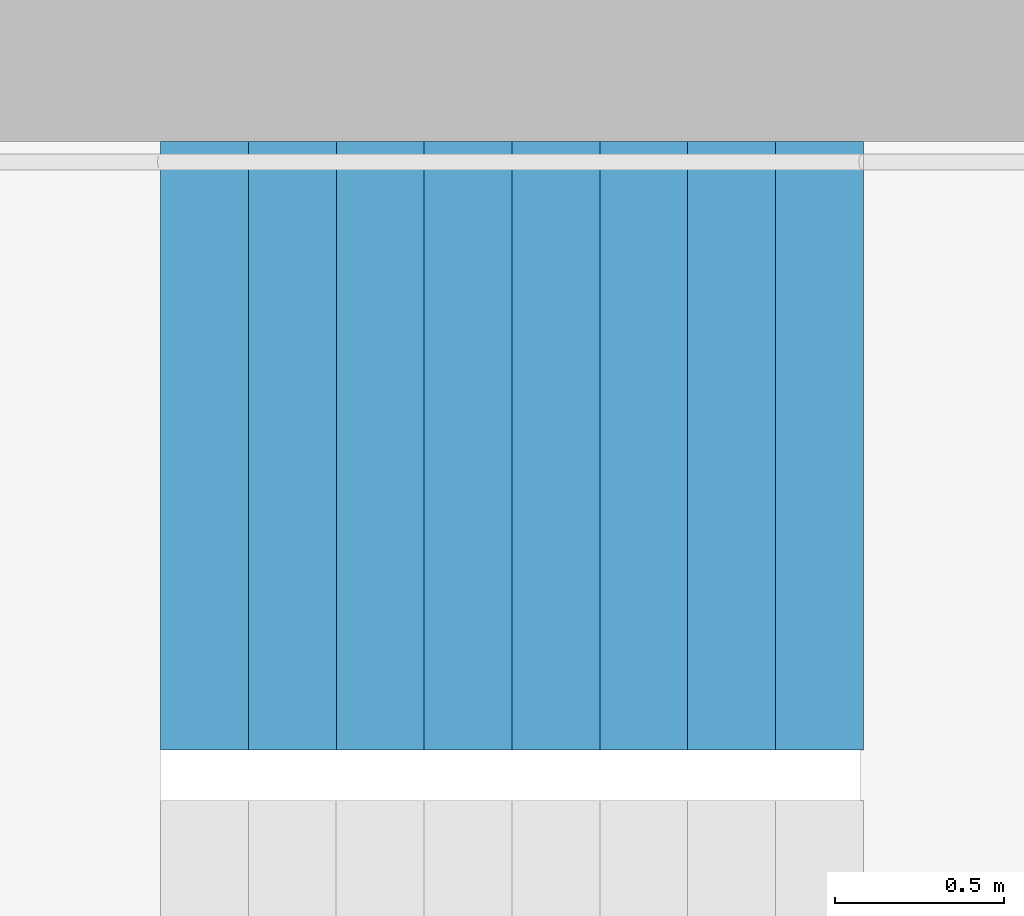
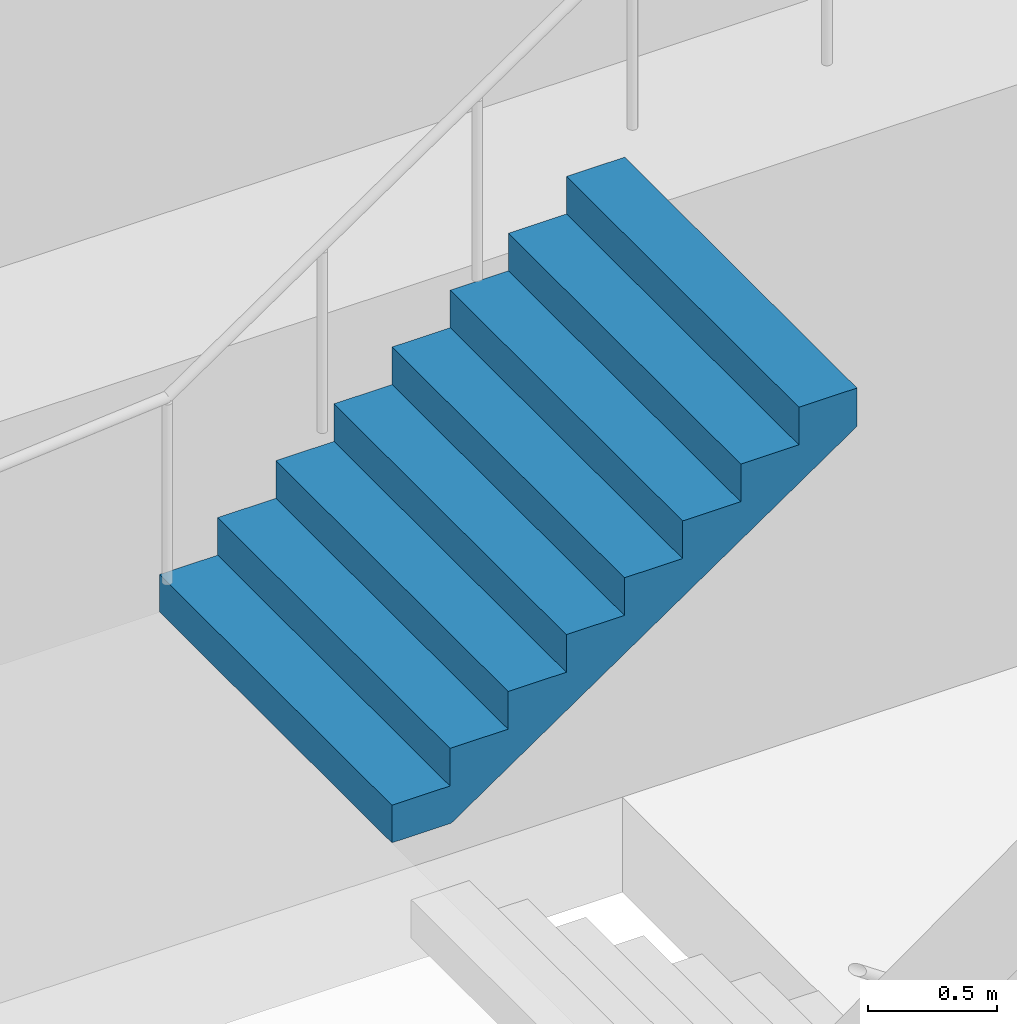
# One storey, part 25 of 26: 1 stair flight, 1 element without a shape of its own.
"""IFC4 building model written with IfcOpenShell, lengths in metres."""

from ifc_helpers import new_model, si_unit, direction, frame, origin, place, context, subcontext, project, spatial, triangles, material, type_object, element, aggregate, save


model = new_model("IFC4")

# Units and contexts
model_context = context("Model", 3, precision=1e-05, world=origin(), true_north=direction((0.0, 1.0)))
body_context = subcontext(model_context, "Body", "Model", "MODEL_VIEW")
ifc_project = project(units=[si_unit("LENGTHUNIT", "METRE"), si_unit("AREAUNIT", "SQUARE_METRE"), si_unit("VOLUMEUNIT", "CUBIC_METRE"), si_unit("PLANEANGLEUNIT", "RADIAN"), si_unit("MASSUNIT", "GRAM", prefix="KILO")], contexts=[model_context])

# Site, building, storey
site_placement = place(None, origin())
site = spatial("IfcSite", under=ifc_project, at=site_placement, CompositionType="ELEMENT")
building_placement = place(site_placement, origin())
building = spatial("IfcBuilding", under=site, at=building_placement, Name="Hakoniwa Tower and Hamabe Station Hall", CompositionType="ELEMENT")
storey_placement = place(building_placement, frame((0.0, 0.0, 143.800048828125)))
storey = spatial("IfcBuildingStorey", under=building, at=storey_placement, Name="L40", CompositionType="ELEMENT", Elevation=143.800048828125)

# Stair, stair flight
ifc_material_1 = material(Name="Concrete C40", Category="concrete")
stair_type = type_object("IfcStairType", Name="ESCAPE STAIR 1800", PredefinedType="HALF_TURN_STAIR", material=ifc_material_1)
stair_placement = place(storey_placement, origin())
stair = element("IfcStair", 1, at=stair_placement, inside=storey, type_object=stair_type, Name="Escape stair ST-3 L40", PredefinedType="HALF_TURN_STAIR")
ifc_material_2 = material(Name="Concrete C40", Category="concrete")
stair_flight_type = type_object("IfcStairFlightType", Name="STAIR FLIGHT 1800", PredefinedType="STRAIGHT", material=ifc_material_2)
stair_flight_placement = place(storey_placement, frame((22.320068359375, 6.60009765625, 1.599853515625), z_axis=(0.0, 0.0, 1.0), x_axis=(1.0, 0.0, 0.0)))
stair_flight = element("IfcStairFlight", 2, at=stair_flight_placement, type_object=stair_flight_type, Name="ST-3 flight 2", NumberOfRisers=9, NumberOfTreads=8, PredefinedType="STRAIGHT", RiserHeight=0.177777778, TreadLength=0.26, context=body_context, shape_type="Tessellation", body=[
    triangles([(0.0, 0.89990234375, 0.0), (0.260009765625, 0.89990234375, 0.0), (0.265625, 0.89990234375, 0.0), (0.52001953125, 0.89990234375, 0.174072265625), (0.780029296875, 0.89990234375, 0.351806640625), (1.0400390625, 0.89990234375, 0.529541015625), (1.300048828125, 0.89990234375, 0.707275390625), (1.56005859375, 0.89990234375, 0.885009765625), (1.820068359375, 0.89990234375, 1.062744140625), (2.080078125, 0.89990234375, 1.24072265625), (2.080078125, 0.89990234375, 1.422119140625), (1.820068359375, 0.89990234375, 1.422119140625), (1.820068359375, 0.89990234375, 1.244384765625), (1.56005859375, 0.89990234375, 1.244384765625), (1.56005859375, 0.89990234375, 1.066650390625), (1.300048828125, 0.89990234375, 1.066650390625), (1.300048828125, 0.89990234375, 0.888916015625), (1.0400390625, 0.89990234375, 0.888916015625), (1.0400390625, 0.89990234375, 0.711181640625), (0.780029296875, 0.89990234375, 0.711181640625), (0.780029296875, 0.89990234375, 0.533447265625), (0.52001953125, 0.89990234375, 0.533447265625), (0.52001953125, 0.89990234375, 0.35546875), (0.265625, 0.89990234375, 0.35546875), (0.260009765625, 0.89990234375, 0.35546875), (0.260009765625, 0.89990234375, 0.177734375), (0.0, 0.89990234375, 0.177734375), (0.0, 0.06005859375, 0.0), (0.260009765625, 0.06005859375, 0.0), (0.265625, 0.06005859375, 0.0), (0.52001953125, 0.06005859375, 0.174072265625), (0.780029296875, 0.06005859375, 0.351806640625), (1.0400390625, 0.06005859375, 0.529541015625), (1.300048828125, 0.06005859375, 0.707275390625), (1.56005859375, 0.06005859375, 0.885009765625), (1.820068359375, 0.06005859375, 1.062744140625), (2.080078125, 0.06005859375, 1.24072265625), (2.080078125, 0.06005859375, 1.422119140625), (1.820068359375, 0.06005859375, 1.422119140625), (1.820068359375, 0.06005859375, 1.244384765625), (1.56005859375, 0.06005859375, 1.244384765625), (1.56005859375, 0.06005859375, 1.066650390625), (1.300048828125, 0.06005859375, 1.066650390625), (1.300048828125, 0.06005859375, 0.888916015625), (1.0400390625, 0.06005859375, 0.888916015625), (1.0400390625, 0.06005859375, 0.711181640625), (0.780029296875, 0.06005859375, 0.711181640625), (0.780029296875, 0.06005859375, 0.533447265625), (0.52001953125, 0.06005859375, 0.533447265625), (0.52001953125, 0.06005859375, 0.35546875), (0.265625, 0.06005859375, 0.35546875), (0.260009765625, 0.06005859375, 0.35546875), (0.260009765625, 0.06005859375, 0.177734375), (0.0, 0.06005859375, 0.177734375), (0.0, 0.04296875, 0.0), (0.260009765625, 0.04296875, 0.0), (0.265625, 0.04296875, 0.0), (0.52001953125, 0.04296875, 0.174072265625), (0.780029296875, 0.04296875, 0.351806640625), (1.0400390625, 0.04296875, 0.529541015625), (1.300048828125, 0.04296875, 0.707275390625), (1.56005859375, 0.04296875, 0.885009765625), (1.820068359375, 0.04296875, 1.062744140625), (2.080078125, 0.04296875, 1.24072265625), (2.080078125, 0.04296875, 1.422119140625), (1.820068359375, 0.04296875, 1.422119140625), (1.820068359375, 0.04296875, 1.244384765625), (1.56005859375, 0.04296875, 1.244384765625), (1.56005859375, 0.04296875, 1.066650390625), (1.300048828125, 0.04296875, 1.066650390625), (1.300048828125, 0.04296875, 0.888916015625), (1.0400390625, 0.04296875, 0.888916015625), (1.0400390625, 0.04296875, 0.711181640625), (0.780029296875, 0.04296875, 0.711181640625), (0.780029296875, 0.04296875, 0.533447265625), (0.52001953125, 0.04296875, 0.533447265625), (0.52001953125, 0.04296875, 0.35546875), (0.265625, 0.04296875, 0.35546875), (0.260009765625, 0.04296875, 0.35546875), (0.260009765625, 0.04296875, 0.177734375), (0.0, 0.04296875, 0.177734375), (0.0, 0.025634765625, 0.0), (0.260009765625, 0.025634765625, 0.0), (0.265625, 0.025634765625, 0.0), (0.52001953125, 0.025634765625, 0.174072265625), (0.780029296875, 0.025634765625, 0.351806640625), (1.0400390625, 0.025634765625, 0.529541015625), (1.300048828125, 0.025634765625, 0.707275390625), (1.56005859375, 0.025634765625, 0.885009765625), (1.820068359375, 0.025634765625, 1.062744140625), (2.080078125, 0.025634765625, 1.24072265625), (2.080078125, 0.025634765625, 1.422119140625), (1.820068359375, 0.025634765625, 1.422119140625), (1.820068359375, 0.025634765625, 1.244384765625), (1.56005859375, 0.025634765625, 1.244384765625), (1.56005859375, 0.025634765625, 1.066650390625), (1.300048828125, 0.025634765625, 1.066650390625), (1.300048828125, 0.025634765625, 0.888916015625), (1.0400390625, 0.025634765625, 0.888916015625), (1.0400390625, 0.025634765625, 0.711181640625), (0.780029296875, 0.025634765625, 0.711181640625), (0.780029296875, 0.025634765625, 0.533447265625), (0.52001953125, 0.025634765625, 0.533447265625), (0.52001953125, 0.025634765625, 0.35546875), (0.265625, 0.025634765625, 0.35546875), (0.260009765625, 0.025634765625, 0.35546875), (0.260009765625, 0.025634765625, 0.177734375), (0.0, 0.025634765625, 0.177734375), (0.0, 0.008544921875, 0.0), (0.260009765625, 0.008544921875, 0.0), (0.265625, 0.008544921875, 0.0), (0.52001953125, 0.008544921875, 0.174072265625), (0.780029296875, 0.008544921875, 0.351806640625), (1.0400390625, 0.008544921875, 0.529541015625), (1.300048828125, 0.008544921875, 0.707275390625), (1.56005859375, 0.008544921875, 0.885009765625), (1.820068359375, 0.008544921875, 1.062744140625), (2.080078125, 0.008544921875, 1.24072265625), (2.080078125, 0.008544921875, 1.422119140625), (1.820068359375, 0.008544921875, 1.422119140625), (1.820068359375, 0.008544921875, 1.244384765625), (1.56005859375, 0.008544921875, 1.244384765625), (1.56005859375, 0.008544921875, 1.066650390625), (1.300048828125, 0.008544921875, 1.066650390625), (1.300048828125, 0.008544921875, 0.888916015625), (1.0400390625, 0.008544921875, 0.888916015625), (1.0400390625, 0.008544921875, 0.711181640625), (0.780029296875, 0.008544921875, 0.711181640625), (0.780029296875, 0.008544921875, 0.533447265625), (0.52001953125, 0.008544921875, 0.533447265625), (0.52001953125, 0.008544921875, 0.35546875), (0.265625, 0.008544921875, 0.35546875), (0.260009765625, 0.008544921875, 0.35546875), (0.260009765625, 0.008544921875, 0.177734375), (0.0, 0.008544921875, 0.177734375), (0.0, -0.008544921875, 0.0), (0.260009765625, -0.008544921875, 0.0), (0.265625, -0.008544921875, 0.0), (0.52001953125, -0.008544921875, 0.174072265625), (0.780029296875, -0.008544921875, 0.351806640625), (1.0400390625, -0.008544921875, 0.529541015625), (1.300048828125, -0.008544921875, 0.707275390625), (1.56005859375, -0.008544921875, 0.885009765625), (1.820068359375, -0.008544921875, 1.062744140625), (2.080078125, -0.008544921875, 1.24072265625), (2.080078125, -0.008544921875, 1.422119140625), (1.820068359375, -0.008544921875, 1.422119140625), (1.820068359375, -0.008544921875, 1.244384765625), (1.56005859375, -0.008544921875, 1.244384765625), (1.56005859375, -0.008544921875, 1.066650390625), (1.300048828125, -0.008544921875, 1.066650390625), (1.300048828125, -0.008544921875, 0.888916015625), (1.0400390625, -0.008544921875, 0.888916015625), (1.0400390625, -0.008544921875, 0.711181640625), (0.780029296875, -0.008544921875, 0.711181640625), (0.780029296875, -0.008544921875, 0.533447265625), (0.52001953125, -0.008544921875, 0.533447265625), (0.52001953125, -0.008544921875, 0.35546875), (0.265625, -0.008544921875, 0.35546875), (0.260009765625, -0.008544921875, 0.35546875), (0.260009765625, -0.008544921875, 0.177734375), (0.0, -0.008544921875, 0.177734375), (0.0, -0.025634765625, 0.0), (0.260009765625, -0.025634765625, 0.0), (0.265625, -0.025634765625, 0.0), (0.52001953125, -0.025634765625, 0.174072265625), (0.780029296875, -0.025634765625, 0.351806640625), (1.0400390625, -0.025634765625, 0.529541015625), (1.300048828125, -0.025634765625, 0.707275390625), (1.56005859375, -0.025634765625, 0.885009765625), (1.820068359375, -0.025634765625, 1.062744140625), (2.080078125, -0.025634765625, 1.24072265625), (2.080078125, -0.025634765625, 1.422119140625), (1.820068359375, -0.025634765625, 1.422119140625), (1.820068359375, -0.025634765625, 1.244384765625), (1.56005859375, -0.025634765625, 1.244384765625), (1.56005859375, -0.025634765625, 1.066650390625), (1.300048828125, -0.025634765625, 1.066650390625), (1.300048828125, -0.025634765625, 0.888916015625), (1.0400390625, -0.025634765625, 0.888916015625), (1.0400390625, -0.025634765625, 0.711181640625), (0.780029296875, -0.025634765625, 0.711181640625), (0.780029296875, -0.025634765625, 0.533447265625), (0.52001953125, -0.025634765625, 0.533447265625), (0.52001953125, -0.025634765625, 0.35546875), (0.265625, -0.025634765625, 0.35546875), (0.260009765625, -0.025634765625, 0.35546875), (0.260009765625, -0.025634765625, 0.177734375), (0.0, -0.025634765625, 0.177734375), (0.0, -0.04296875, 0.0), (0.260009765625, -0.04296875, 0.0), (0.265625, -0.04296875, 0.0), (0.52001953125, -0.04296875, 0.174072265625), (0.780029296875, -0.04296875, 0.351806640625), (1.0400390625, -0.04296875, 0.529541015625), (1.300048828125, -0.04296875, 0.707275390625), (1.56005859375, -0.04296875, 0.885009765625), (1.820068359375, -0.04296875, 1.062744140625), (2.080078125, -0.04296875, 1.24072265625), (2.080078125, -0.04296875, 1.422119140625), (1.820068359375, -0.04296875, 1.422119140625), (1.820068359375, -0.04296875, 1.244384765625), (1.56005859375, -0.04296875, 1.244384765625), (1.56005859375, -0.04296875, 1.066650390625), (1.300048828125, -0.04296875, 1.066650390625), (1.300048828125, -0.04296875, 0.888916015625), (1.0400390625, -0.04296875, 0.888916015625), (1.0400390625, -0.04296875, 0.711181640625), (0.780029296875, -0.04296875, 0.711181640625), (0.780029296875, -0.04296875, 0.533447265625), (0.52001953125, -0.04296875, 0.533447265625), (0.52001953125, -0.04296875, 0.35546875), (0.265625, -0.04296875, 0.35546875), (0.260009765625, -0.04296875, 0.35546875), (0.260009765625, -0.04296875, 0.177734375), (0.0, -0.04296875, 0.177734375), (0.0, -0.06005859375, 0.0), (0.260009765625, -0.06005859375, 0.0), (0.265625, -0.06005859375, 0.0), (0.52001953125, -0.06005859375, 0.174072265625), (0.780029296875, -0.06005859375, 0.351806640625), (1.0400390625, -0.06005859375, 0.529541015625), (1.300048828125, -0.06005859375, 0.707275390625), (1.56005859375, -0.06005859375, 0.885009765625), (1.820068359375, -0.06005859375, 1.062744140625), (2.080078125, -0.06005859375, 1.24072265625), (2.080078125, -0.06005859375, 1.422119140625), (1.820068359375, -0.06005859375, 1.422119140625), (1.820068359375, -0.06005859375, 1.244384765625), (1.56005859375, -0.06005859375, 1.244384765625), (1.56005859375, -0.06005859375, 1.066650390625), (1.300048828125, -0.06005859375, 1.066650390625), (1.300048828125, -0.06005859375, 0.888916015625), (1.0400390625, -0.06005859375, 0.888916015625), (1.0400390625, -0.06005859375, 0.711181640625), (0.780029296875, -0.06005859375, 0.711181640625), (0.780029296875, -0.06005859375, 0.533447265625), (0.52001953125, -0.06005859375, 0.533447265625), (0.52001953125, -0.06005859375, 0.35546875), (0.265625, -0.06005859375, 0.35546875), (0.260009765625, -0.06005859375, 0.35546875), (0.260009765625, -0.06005859375, 0.177734375), (0.0, -0.06005859375, 0.177734375), (0.0, -0.89990234375, 0.0), (0.260009765625, -0.89990234375, 0.0), (0.265625, -0.89990234375, 0.0), (0.52001953125, -0.89990234375, 0.174072265625), (0.780029296875, -0.89990234375, 0.351806640625), (1.0400390625, -0.89990234375, 0.529541015625), (1.300048828125, -0.89990234375, 0.707275390625), (1.56005859375, -0.89990234375, 0.885009765625), (1.820068359375, -0.89990234375, 1.062744140625), (2.080078125, -0.89990234375, 1.24072265625), (2.080078125, -0.89990234375, 1.422119140625), (1.820068359375, -0.89990234375, 1.422119140625), (1.820068359375, -0.89990234375, 1.244384765625), (1.56005859375, -0.89990234375, 1.244384765625), (1.56005859375, -0.89990234375, 1.066650390625), (1.300048828125, -0.89990234375, 1.066650390625), (1.300048828125, -0.89990234375, 0.888916015625), (1.0400390625, -0.89990234375, 0.888916015625), (1.0400390625, -0.89990234375, 0.711181640625), (0.780029296875, -0.89990234375, 0.711181640625), (0.780029296875, -0.89990234375, 0.533447265625), (0.52001953125, -0.89990234375, 0.533447265625), (0.52001953125, -0.89990234375, 0.35546875), (0.265625, -0.89990234375, 0.35546875), (0.260009765625, -0.89990234375, 0.35546875), (0.260009765625, -0.89990234375, 0.177734375), (0.0, -0.89990234375, 0.177734375)], [[2, 27, 26], [245, 269, 270], [2, 1, 27], [245, 270, 244], [3, 25, 24], [246, 267, 268], [3, 26, 25], [246, 268, 269], [3, 2, 26], [246, 269, 245], [4, 24, 23], [247, 266, 267], [4, 3, 24], [247, 267, 246], [5, 22, 21], [248, 264, 265], [5, 23, 22], [248, 265, 266], [5, 4, 23], [248, 266, 247], [6, 20, 19], [249, 262, 263], [6, 21, 20], [249, 263, 264], [6, 5, 21], [249, 264, 248], [7, 18, 17], [250, 260, 261], [7, 19, 18], [250, 261, 262], [7, 6, 19], [250, 262, 249], [8, 16, 15], [251, 258, 259], [8, 17, 16], [251, 259, 260], [8, 7, 17], [251, 260, 250], [9, 14, 13], [252, 256, 257], [9, 15, 14], [252, 257, 258], [9, 8, 15], [252, 258, 251], [10, 12, 11], [253, 254, 255], [10, 13, 12], [253, 255, 256], [10, 9, 13], [253, 256, 252], [1, 2, 29], [1, 29, 28], [28, 29, 56], [28, 56, 55], [55, 56, 83], [55, 83, 82], [82, 83, 110], [82, 110, 109], [109, 110, 137], [109, 137, 136], [136, 137, 164], [136, 164, 163], [163, 164, 191], [163, 191, 190], [190, 191, 218], [190, 218, 217], [217, 218, 245], [217, 245, 244], [2, 3, 30], [2, 30, 29], [29, 30, 57], [29, 57, 56], [56, 57, 84], [56, 84, 83], [83, 84, 111], [83, 111, 110], [110, 111, 138], [110, 138, 137], [137, 138, 165], [137, 165, 164], [164, 165, 192], [164, 192, 191], [191, 192, 219], [191, 219, 218], [218, 219, 246], [218, 246, 245], [3, 4, 31], [3, 31, 30], [30, 31, 58], [30, 58, 57], [57, 58, 85], [57, 85, 84], [84, 85, 112], [84, 112, 111], [111, 112, 139], [111, 139, 138], [138, 139, 166], [138, 166, 165], [165, 166, 193], [165, 193, 192], [192, 193, 220], [192, 220, 219], [219, 220, 247], [219, 247, 246], [4, 5, 32], [4, 32, 31], [31, 32, 59], [31, 59, 58], [58, 59, 86], [58, 86, 85], [85, 86, 113], [85, 113, 112], [112, 113, 140], [112, 140, 139], [139, 140, 167], [139, 167, 166], [166, 167, 194], [166, 194, 193], [193, 194, 221], [193, 221, 220], [220, 221, 248], [220, 248, 247], [5, 6, 33], [5, 33, 32], [32, 33, 60], [32, 60, 59], [59, 60, 87], [59, 87, 86], [86, 87, 114], [86, 114, 113], [113, 114, 141], [113, 141, 140], [140, 141, 168], [140, 168, 167], [167, 168, 195], [167, 195, 194], [194, 195, 222], [194, 222, 221], [221, 222, 249], [221, 249, 248], [6, 7, 34], [6, 34, 33], [33, 34, 61], [33, 61, 60], [60, 61, 88], [60, 88, 87], [87, 88, 115], [87, 115, 114], [114, 115, 142], [114, 142, 141], [141, 142, 169], [141, 169, 168], [168, 169, 196], [168, 196, 195], [195, 196, 223], [195, 223, 222], [222, 223, 250], [222, 250, 249], [7, 8, 35], [7, 35, 34], [34, 35, 62], [34, 62, 61], [61, 62, 89], [61, 89, 88], [88, 89, 116], [88, 116, 115], [115, 116, 143], [115, 143, 142], [142, 143, 170], [142, 170, 169], [169, 170, 197], [169, 197, 196], [196, 197, 224], [196, 224, 223], [223, 224, 251], [223, 251, 250], [8, 9, 36], [8, 36, 35], [35, 36, 63], [35, 63, 62], [62, 63, 90], [62, 90, 89], [89, 90, 117], [89, 117, 116], [116, 117, 144], [116, 144, 143], [143, 144, 171], [143, 171, 170], [170, 171, 198], [170, 198, 197], [197, 198, 225], [197, 225, 224], [224, 225, 252], [224, 252, 251], [9, 10, 37], [9, 37, 36], [36, 37, 64], [36, 64, 63], [63, 64, 91], [63, 91, 90], [90, 91, 118], [90, 118, 117], [117, 118, 145], [117, 145, 144], [144, 145, 172], [144, 172, 171], [171, 172, 199], [171, 199, 198], [198, 199, 226], [198, 226, 225], [225, 226, 253], [225, 253, 252], [10, 11, 38], [10, 38, 37], [37, 38, 65], [37, 65, 64], [64, 65, 92], [64, 92, 91], [91, 92, 119], [91, 119, 118], [118, 119, 146], [118, 146, 145], [145, 146, 173], [145, 173, 172], [172, 173, 200], [172, 200, 199], [199, 200, 227], [199, 227, 226], [226, 227, 254], [226, 254, 253], [11, 12, 39], [11, 39, 38], [38, 39, 66], [38, 66, 65], [65, 66, 93], [65, 93, 92], [92, 93, 120], [92, 120, 119], [119, 120, 147], [119, 147, 146], [146, 147, 174], [146, 174, 173], [173, 174, 201], [173, 201, 200], [200, 201, 228], [200, 228, 227], [227, 228, 255], [227, 255, 254], [12, 13, 40], [12, 40, 39], [39, 40, 67], [39, 67, 66], [66, 67, 94], [66, 94, 93], [93, 94, 121], [93, 121, 120], [120, 121, 148], [120, 148, 147], [147, 148, 175], [147, 175, 174], [174, 175, 202], [174, 202, 201], [201, 202, 229], [201, 229, 228], [228, 229, 256], [228, 256, 255], [13, 14, 41], [13, 41, 40], [40, 41, 68], [40, 68, 67], [67, 68, 95], [67, 95, 94], [94, 95, 122], [94, 122, 121], [121, 122, 149], [121, 149, 148], [148, 149, 176], [148, 176, 175], [175, 176, 203], [175, 203, 202], [202, 203, 230], [202, 230, 229], [229, 230, 257], [229, 257, 256], [14, 15, 42], [14, 42, 41], [41, 42, 69], [41, 69, 68], [68, 69, 96], [68, 96, 95], [95, 96, 123], [95, 123, 122], [122, 123, 150], [122, 150, 149], [149, 150, 177], [149, 177, 176], [176, 177, 204], [176, 204, 203], [203, 204, 231], [203, 231, 230], [230, 231, 258], [230, 258, 257], [15, 16, 43], [15, 43, 42], [42, 43, 70], [42, 70, 69], [69, 70, 97], [69, 97, 96], [96, 97, 124], [96, 124, 123], [123, 124, 151], [123, 151, 150], [150, 151, 178], [150, 178, 177], [177, 178, 205], [177, 205, 204], [204, 205, 232], [204, 232, 231], [231, 232, 259], [231, 259, 258], [16, 17, 44], [16, 44, 43], [43, 44, 71], [43, 71, 70], [70, 71, 98], [70, 98, 97], [97, 98, 125], [97, 125, 124], [124, 125, 152], [124, 152, 151], [151, 152, 179], [151, 179, 178], [178, 179, 206], [178, 206, 205], [205, 206, 233], [205, 233, 232], [232, 233, 260], [232, 260, 259], [17, 18, 45], [17, 45, 44], [44, 45, 72], [44, 72, 71], [71, 72, 99], [71, 99, 98], [98, 99, 126], [98, 126, 125], [125, 126, 153], [125, 153, 152], [152, 153, 180], [152, 180, 179], [179, 180, 207], [179, 207, 206], [206, 207, 234], [206, 234, 233], [233, 234, 261], [233, 261, 260], [18, 19, 46], [18, 46, 45], [45, 46, 73], [45, 73, 72], [72, 73, 100], [72, 100, 99], [99, 100, 127], [99, 127, 126], [126, 127, 154], [126, 154, 153], [153, 154, 181], [153, 181, 180], [180, 181, 208], [180, 208, 207], [207, 208, 235], [207, 235, 234], [234, 235, 262], [234, 262, 261], [19, 20, 47], [19, 47, 46], [46, 47, 74], [46, 74, 73], [73, 74, 101], [73, 101, 100], [100, 101, 128], [100, 128, 127], [127, 128, 155], [127, 155, 154], [154, 155, 182], [154, 182, 181], [181, 182, 209], [181, 209, 208], [208, 209, 236], [208, 236, 235], [235, 236, 263], [235, 263, 262], [20, 21, 48], [20, 48, 47], [47, 48, 75], [47, 75, 74], [74, 75, 102], [74, 102, 101], [101, 102, 129], [101, 129, 128], [128, 129, 156], [128, 156, 155], [155, 156, 183], [155, 183, 182], [182, 183, 210], [182, 210, 209], [209, 210, 237], [209, 237, 236], [236, 237, 264], [236, 264, 263], [21, 22, 49], [21, 49, 48], [48, 49, 76], [48, 76, 75], [75, 76, 103], [75, 103, 102], [102, 103, 130], [102, 130, 129], [129, 130, 157], [129, 157, 156], [156, 157, 184], [156, 184, 183], [183, 184, 211], [183, 211, 210], [210, 211, 238], [210, 238, 237], [237, 238, 265], [237, 265, 264], [22, 23, 50], [22, 50, 49], [49, 50, 77], [49, 77, 76], [76, 77, 104], [76, 104, 103], [103, 104, 131], [103, 131, 130], [130, 131, 158], [130, 158, 157], [157, 158, 185], [157, 185, 184], [184, 185, 212], [184, 212, 211], [211, 212, 239], [211, 239, 238], [238, 239, 266], [238, 266, 265], [23, 24, 51], [23, 51, 50], [50, 51, 78], [50, 78, 77], [77, 78, 105], [77, 105, 104], [104, 105, 132], [104, 132, 131], [131, 132, 159], [131, 159, 158], [158, 159, 186], [158, 186, 185], [185, 186, 213], [185, 213, 212], [212, 213, 240], [212, 240, 239], [239, 240, 267], [239, 267, 266], [24, 25, 52], [24, 52, 51], [51, 52, 79], [51, 79, 78], [78, 79, 106], [78, 106, 105], [105, 106, 133], [105, 133, 132], [132, 133, 160], [132, 160, 159], [159, 160, 187], [159, 187, 186], [186, 187, 214], [186, 214, 213], [213, 214, 241], [213, 241, 240], [240, 241, 268], [240, 268, 267], [25, 26, 53], [25, 53, 52], [52, 53, 80], [52, 80, 79], [79, 80, 107], [79, 107, 106], [106, 107, 134], [106, 134, 133], [133, 134, 161], [133, 161, 160], [160, 161, 188], [160, 188, 187], [187, 188, 215], [187, 215, 214], [214, 215, 242], [214, 242, 241], [241, 242, 269], [241, 269, 268], [26, 27, 54], [26, 54, 53], [53, 54, 81], [53, 81, 80], [80, 81, 108], [80, 108, 107], [107, 108, 135], [107, 135, 134], [134, 135, 162], [134, 162, 161], [161, 162, 189], [161, 189, 188], [188, 189, 216], [188, 216, 215], [215, 216, 243], [215, 243, 242], [242, 243, 270], [242, 270, 269], [27, 1, 28], [27, 28, 54], [54, 28, 55], [54, 55, 81], [81, 55, 82], [81, 82, 108], [108, 82, 109], [108, 109, 135], [135, 109, 136], [135, 136, 162], [162, 136, 163], [162, 163, 189], [189, 163, 190], [189, 190, 216], [216, 190, 217], [216, 217, 243], [243, 217, 244], [243, 244, 270]], closed=True),
])
aggregate(stair, [stair_flight])

save(model, "model.ifc")
